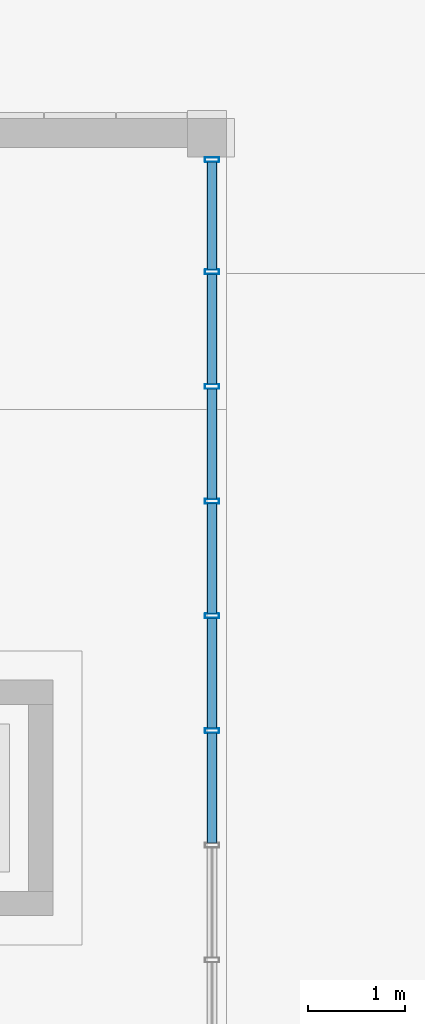
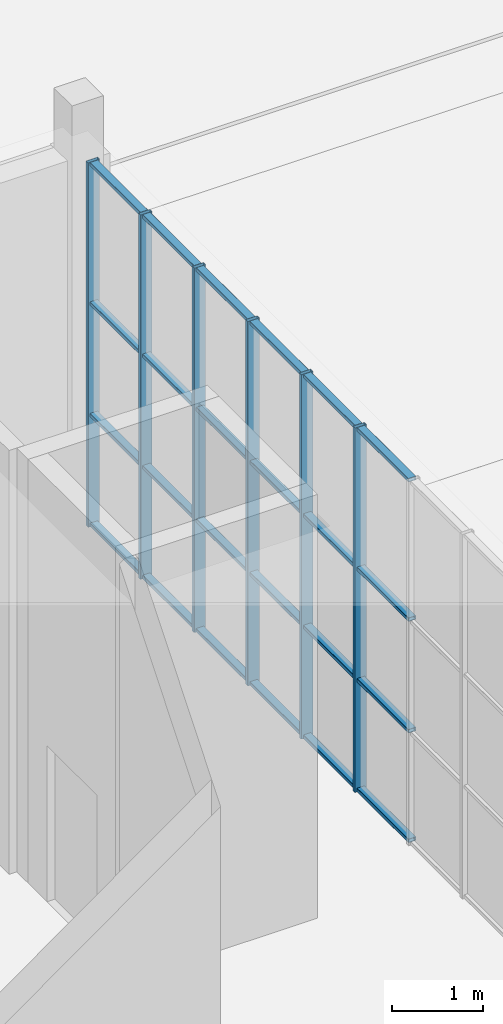
# One storey, part 31 of 125: 30 members, 1 element without a shape of its own.
"""IFC4 building model written with IfcOpenShell, lengths in metres."""

from ifc_helpers import new_model, si_unit, direction, frame, origin, origin_2d, place, context, subcontext, project, spatial, hollow_rectangle, extrude, material, material_profile, profile_set, type_object, element, aggregate, save


model = new_model("IFC4")

# Units and contexts
model_context = context("Model", 3, precision=1e-05, world=origin(), true_north=direction((0.0, 1.0)))
body_context = subcontext(model_context, "Body", "Model", "MODEL_VIEW")
ifc_project = project(units=[si_unit("LENGTHUNIT", "METRE"), si_unit("AREAUNIT", "SQUARE_METRE"), si_unit("VOLUMEUNIT", "CUBIC_METRE"), si_unit("PLANEANGLEUNIT", "RADIAN"), si_unit("MASSUNIT", "GRAM", prefix="KILO")], contexts=[model_context])

# Site, building, storey
site_placement = place(None, origin())
site = spatial("IfcSite", under=ifc_project, at=site_placement, CompositionType="ELEMENT")
building_placement = place(site_placement, origin())
building = spatial("IfcBuilding", under=site, at=building_placement, Name="Sun Court Science Centre", CompositionType="ELEMENT")
storey_placement = place(building_placement, origin())
storey = spatial("IfcBuildingStorey", under=building, at=storey_placement, Name="L00", CompositionType="ELEMENT", Elevation=0.0)

# Curtain wall, members
ifc_material_1 = material(Name="Aluminium EN AW-6063 T6", Category="aluminium")
curtain_wall_type = type_object("IfcCurtainWallType", Name="Pavilion curtain wall 1200", PredefinedType="NOTDEFINED", material=ifc_material_1)
curtain_wall_placement = place(storey_placement, origin())
curtain_wall = element("IfcCurtainWall", 1, at=curtain_wall_placement, inside=storey, type_object=curtain_wall_type, Name="Curtain wall V5 E L00 01", PredefinedType="NOTDEFINED")
ifc_material_2 = material(Name="Aluminium EN AW-6063 T6", Category="aluminium")
ifc_material_profile_1 = material_profile(ifc_material_2, hollow_rectangle(XDim=0.050048828125, YDim=0.14990234375, WallThickness=0.00390625, InnerFilletRadius=0.00390625, OuterFilletRadius=0.006103515625, at=origin_2d()), Name="AL 50x150x4")
ifc_profile_set_1 = profile_set([ifc_material_profile_1], Name="Aluminium EN AW-6063 T6")
member_type_1 = type_object("IfcMemberType", Name="Curtain wall mullion AL 50x150", PredefinedType="MULLION", material=ifc_profile_set_1)
member_1_placement = place(storey_placement, frame((65.85009765625, 43.69384765625, 0.0), z_axis=(0.0, 0.0, 1.0), x_axis=(0.0, -1.0, 0.0)))
member_1 = element("IfcMember", 2, at=member_1_placement, type_object=member_type_1, Name="CW3-20 mullion 6", PredefinedType="MULLION", context=body_context, shape_type="SweptSolid", body=[
    extrude(hollow_rectangle(XDim=0.050048828125, YDim=0.14990234375, WallThickness=0.00390625, InnerFilletRadius=0.00390625, OuterFilletRadius=0.006103515625, at=origin_2d()), origin(), (0.0, 0.0, 1.0), 4.89990234375),
])
member_2_placement = place(storey_placement, frame((65.85009765625, 44.875, 0.0), z_axis=(0.0, 0.0, 1.0), x_axis=(0.0, -1.0, 0.0)))
member_2 = element("IfcMember", 3, at=member_2_placement, type_object=member_type_1, Name="CW3-20 mullion 5", PredefinedType="MULLION", context=body_context, shape_type="SweptSolid", body=[
    extrude(hollow_rectangle(XDim=0.050048828125, YDim=0.14990234375, WallThickness=0.00390625, InnerFilletRadius=0.00390625, OuterFilletRadius=0.006103515625, at=origin_2d()), origin(), (0.0, 0.0, 1.0), 4.89990234375),
])
member_3_placement = place(storey_placement, frame((65.85009765625, 46.05615234375, 0.0), z_axis=(0.0, 0.0, 1.0), x_axis=(0.0, -1.0, 0.0)))
member_3 = element("IfcMember", 4, at=member_3_placement, type_object=member_type_1, Name="CW3-20 mullion 4", PredefinedType="MULLION", context=body_context, shape_type="SweptSolid", body=[
    extrude(hollow_rectangle(XDim=0.050048828125, YDim=0.14990234375, WallThickness=0.00390625, InnerFilletRadius=0.00390625, OuterFilletRadius=0.006103515625, at=origin_2d()), origin(), (0.0, 0.0, 1.0), 4.89990234375),
])
member_4_placement = place(storey_placement, frame((65.85009765625, 47.237548828125, 0.0), z_axis=(0.0, 0.0, 1.0), x_axis=(0.0, -1.0, 0.0)))
member_4 = element("IfcMember", 5, at=member_4_placement, type_object=member_type_1, Name="CW3-20 mullion 3", PredefinedType="MULLION", context=body_context, shape_type="SweptSolid", body=[
    extrude(hollow_rectangle(XDim=0.050048828125, YDim=0.14990234375, WallThickness=0.00390625, InnerFilletRadius=0.00390625, OuterFilletRadius=0.006103515625, at=origin_2d()), origin(), (0.0, 0.0, 1.0), 4.89990234375),
])
member_5_placement = place(storey_placement, frame((65.85009765625, 48.418701171875, 0.0), z_axis=(0.0, 0.0, 1.0), x_axis=(0.0, -1.0, 0.0)))
member_5 = element("IfcMember", 6, at=member_5_placement, type_object=member_type_1, Name="CW3-20 mullion 2", PredefinedType="MULLION", context=body_context, shape_type="SweptSolid", body=[
    extrude(hollow_rectangle(XDim=0.050048828125, YDim=0.14990234375, WallThickness=0.00390625, InnerFilletRadius=0.00390625, OuterFilletRadius=0.006103515625, at=origin_2d()), origin(), (0.0, 0.0, 1.0), 4.89990234375),
])
member_6_placement = place(storey_placement, frame((65.85009765625, 49.574951171875, 0.0), z_axis=(0.0, 0.0, 1.0), x_axis=(0.0, -1.0, 0.0)))
member_6 = element("IfcMember", 7, at=member_6_placement, type_object=member_type_1, Name="CW3-20 mullion 1", PredefinedType="MULLION", context=body_context, shape_type="SweptSolid", body=[
    extrude(hollow_rectangle(XDim=0.050048828125, YDim=0.14990234375, WallThickness=0.00390625, InnerFilletRadius=0.00390625, OuterFilletRadius=0.006103515625, at=origin_2d()), origin(), (0.0, 0.0, 1.0), 4.89990234375),
])
ifc_material_3 = material(Name="Aluminium EN AW-6063 T6", Category="aluminium")
ifc_material_profile_2 = material_profile(ifc_material_3, hollow_rectangle(XDim=0.050048828125, YDim=0.10009765625, WallThickness=0.00390625, InnerFilletRadius=0.00390625, OuterFilletRadius=0.006103515625, at=origin_2d()), Name="AL 50x100x4")
ifc_profile_set_2 = profile_set([ifc_material_profile_2], Name="Aluminium EN AW-6063 T6")
member_type_2 = type_object("IfcMemberType", Name="Curtain wall transom AL 50x100", PredefinedType="USERDEFINED", material=ifc_profile_set_2)
member_7_placement = place(storey_placement, frame((65.85009765625, 43.668701171875, 0.02490234375), z_axis=(0.0, -1.0, 0.0), x_axis=(0.0, 0.0, 1.0)))
member_7 = element("IfcMember", 8, at=member_7_placement, type_object=member_type_2, Name="CW3-20 transom 6.1", ObjectType="TRANSOM", PredefinedType="USERDEFINED", context=body_context, shape_type="SweptSolid", body=[
    extrude(hollow_rectangle(XDim=0.050048828125, YDim=0.10009765625, WallThickness=0.00390625, InnerFilletRadius=0.00390625, OuterFilletRadius=0.006103515625, at=origin_2d()), origin(), (0.0, 0.0, 1.0), 1.131103515625),
])
member_8_placement = place(storey_placement, frame((65.85009765625, 44.85009765625, 0.02490234375), z_axis=(0.0, -1.0, 0.0), x_axis=(0.0, 0.0, 1.0)))
member_8 = element("IfcMember", 9, at=member_8_placement, type_object=member_type_2, Name="CW3-20 transom 5.1", ObjectType="TRANSOM", PredefinedType="USERDEFINED", context=body_context, shape_type="SweptSolid", body=[
    extrude(hollow_rectangle(XDim=0.050048828125, YDim=0.10009765625, WallThickness=0.00390625, InnerFilletRadius=0.00390625, OuterFilletRadius=0.006103515625, at=origin_2d()), origin(), (0.0, 0.0, 1.0), 1.13134765625),
])
member_9_placement = place(storey_placement, frame((65.85009765625, 46.03125, 0.02490234375), z_axis=(0.0, -1.0, 0.0), x_axis=(0.0, 0.0, 1.0)))
member_9 = element("IfcMember", 10, at=member_9_placement, type_object=member_type_2, Name="CW3-20 transom 4.1", ObjectType="TRANSOM", PredefinedType="USERDEFINED", context=body_context, shape_type="SweptSolid", body=[
    extrude(hollow_rectangle(XDim=0.050048828125, YDim=0.10009765625, WallThickness=0.00390625, InnerFilletRadius=0.00390625, OuterFilletRadius=0.006103515625, at=origin_2d()), origin(), (0.0, 0.0, 1.0), 1.13134765625),
])
member_10_placement = place(storey_placement, frame((65.85009765625, 47.21240234375, 0.02490234375), z_axis=(0.0, -1.0, 0.0), x_axis=(0.0, 0.0, 1.0)))
member_10 = element("IfcMember", 11, at=member_10_placement, type_object=member_type_2, Name="CW3-20 transom 3.1", ObjectType="TRANSOM", PredefinedType="USERDEFINED", context=body_context, shape_type="SweptSolid", body=[
    extrude(hollow_rectangle(XDim=0.050048828125, YDim=0.10009765625, WallThickness=0.00390625, InnerFilletRadius=0.00390625, OuterFilletRadius=0.006103515625, at=origin_2d()), origin(), (0.0, 0.0, 1.0), 1.131103515625),
])
member_11_placement = place(storey_placement, frame((65.85009765625, 48.393798828125, 0.02490234375), z_axis=(0.0, -1.0, 0.0), x_axis=(0.0, 0.0, 1.0)))
member_11 = element("IfcMember", 12, at=member_11_placement, type_object=member_type_2, Name="CW3-20 transom 2.1", ObjectType="TRANSOM", PredefinedType="USERDEFINED", context=body_context, shape_type="SweptSolid", body=[
    extrude(hollow_rectangle(XDim=0.050048828125, YDim=0.10009765625, WallThickness=0.00390625, InnerFilletRadius=0.00390625, OuterFilletRadius=0.006103515625, at=origin_2d()), origin(), (0.0, 0.0, 1.0), 1.13134765625),
])
member_12_placement = place(storey_placement, frame((65.85009765625, 49.550048828125, 0.02490234375), z_axis=(0.0, -1.0, 0.0), x_axis=(0.0, 0.0, 1.0)))
member_12 = element("IfcMember", 13, at=member_12_placement, type_object=member_type_2, Name="CW3-20 transom 1.1", ObjectType="TRANSOM", PredefinedType="USERDEFINED", context=body_context, shape_type="SweptSolid", body=[
    extrude(hollow_rectangle(XDim=0.050048828125, YDim=0.10009765625, WallThickness=0.00390625, InnerFilletRadius=0.00390625, OuterFilletRadius=0.006103515625, at=origin_2d()), origin(), (0.0, 0.0, 1.0), 1.106201171875),
])
member_13_placement = place(storey_placement, frame((65.85009765625, 43.668701171875, 1.5), z_axis=(0.0, -1.0, 0.0), x_axis=(0.0, 0.0, 1.0)))
member_13 = element("IfcMember", 14, at=member_13_placement, type_object=member_type_2, Name="CW3-20 transom 6.2", ObjectType="TRANSOM", PredefinedType="USERDEFINED", context=body_context, shape_type="SweptSolid", body=[
    extrude(hollow_rectangle(XDim=0.050048828125, YDim=0.10009765625, WallThickness=0.00390625, InnerFilletRadius=0.00390625, OuterFilletRadius=0.006103515625, at=origin_2d()), origin(), (0.0, 0.0, 1.0), 1.131103515625),
])
member_14_placement = place(storey_placement, frame((65.85009765625, 44.85009765625, 1.5), z_axis=(0.0, -1.0, 0.0), x_axis=(0.0, 0.0, 1.0)))
member_14 = element("IfcMember", 15, at=member_14_placement, type_object=member_type_2, Name="CW3-20 transom 5.2", ObjectType="TRANSOM", PredefinedType="USERDEFINED", context=body_context, shape_type="SweptSolid", body=[
    extrude(hollow_rectangle(XDim=0.050048828125, YDim=0.10009765625, WallThickness=0.00390625, InnerFilletRadius=0.00390625, OuterFilletRadius=0.006103515625, at=origin_2d()), origin(), (0.0, 0.0, 1.0), 1.13134765625),
])
member_15_placement = place(storey_placement, frame((65.85009765625, 46.03125, 1.5), z_axis=(0.0, -1.0, 0.0), x_axis=(0.0, 0.0, 1.0)))
member_15 = element("IfcMember", 16, at=member_15_placement, type_object=member_type_2, Name="CW3-20 transom 4.2", ObjectType="TRANSOM", PredefinedType="USERDEFINED", context=body_context, shape_type="SweptSolid", body=[
    extrude(hollow_rectangle(XDim=0.050048828125, YDim=0.10009765625, WallThickness=0.00390625, InnerFilletRadius=0.00390625, OuterFilletRadius=0.006103515625, at=origin_2d()), origin(), (0.0, 0.0, 1.0), 1.13134765625),
])
member_16_placement = place(storey_placement, frame((65.85009765625, 47.21240234375, 1.5), z_axis=(0.0, -1.0, 0.0), x_axis=(0.0, 0.0, 1.0)))
member_16 = element("IfcMember", 17, at=member_16_placement, type_object=member_type_2, Name="CW3-20 transom 3.2", ObjectType="TRANSOM", PredefinedType="USERDEFINED", context=body_context, shape_type="SweptSolid", body=[
    extrude(hollow_rectangle(XDim=0.050048828125, YDim=0.10009765625, WallThickness=0.00390625, InnerFilletRadius=0.00390625, OuterFilletRadius=0.006103515625, at=origin_2d()), origin(), (0.0, 0.0, 1.0), 1.131103515625),
])
member_17_placement = place(storey_placement, frame((65.85009765625, 48.393798828125, 1.5), z_axis=(0.0, -1.0, 0.0), x_axis=(0.0, 0.0, 1.0)))
member_17 = element("IfcMember", 18, at=member_17_placement, type_object=member_type_2, Name="CW3-20 transom 2.2", ObjectType="TRANSOM", PredefinedType="USERDEFINED", context=body_context, shape_type="SweptSolid", body=[
    extrude(hollow_rectangle(XDim=0.050048828125, YDim=0.10009765625, WallThickness=0.00390625, InnerFilletRadius=0.00390625, OuterFilletRadius=0.006103515625, at=origin_2d()), origin(), (0.0, 0.0, 1.0), 1.13134765625),
])
member_18_placement = place(storey_placement, frame((65.85009765625, 49.550048828125, 1.5), z_axis=(0.0, -1.0, 0.0), x_axis=(0.0, 0.0, 1.0)))
member_18 = element("IfcMember", 19, at=member_18_placement, type_object=member_type_2, Name="CW3-20 transom 1.2", ObjectType="TRANSOM", PredefinedType="USERDEFINED", context=body_context, shape_type="SweptSolid", body=[
    extrude(hollow_rectangle(XDim=0.050048828125, YDim=0.10009765625, WallThickness=0.00390625, InnerFilletRadius=0.00390625, OuterFilletRadius=0.006103515625, at=origin_2d()), origin(), (0.0, 0.0, 1.0), 1.106201171875),
])
member_19_placement = place(storey_placement, frame((65.85009765625, 43.668701171875, 3.0), z_axis=(0.0, -1.0, 0.0), x_axis=(0.0, 0.0, 1.0)))
member_19 = element("IfcMember", 20, at=member_19_placement, type_object=member_type_2, Name="CW3-20 transom 6.3", ObjectType="TRANSOM", PredefinedType="USERDEFINED", context=body_context, shape_type="SweptSolid", body=[
    extrude(hollow_rectangle(XDim=0.050048828125, YDim=0.10009765625, WallThickness=0.00390625, InnerFilletRadius=0.00390625, OuterFilletRadius=0.006103515625, at=origin_2d()), origin(), (0.0, 0.0, 1.0), 1.131103515625),
])
member_20_placement = place(storey_placement, frame((65.85009765625, 44.85009765625, 3.0), z_axis=(0.0, -1.0, 0.0), x_axis=(0.0, 0.0, 1.0)))
member_20 = element("IfcMember", 21, at=member_20_placement, type_object=member_type_2, Name="CW3-20 transom 5.3", ObjectType="TRANSOM", PredefinedType="USERDEFINED", context=body_context, shape_type="SweptSolid", body=[
    extrude(hollow_rectangle(XDim=0.050048828125, YDim=0.10009765625, WallThickness=0.00390625, InnerFilletRadius=0.00390625, OuterFilletRadius=0.006103515625, at=origin_2d()), origin(), (0.0, 0.0, 1.0), 1.13134765625),
])
member_21_placement = place(storey_placement, frame((65.85009765625, 46.03125, 3.0), z_axis=(0.0, -1.0, 0.0), x_axis=(0.0, 0.0, 1.0)))
member_21 = element("IfcMember", 22, at=member_21_placement, type_object=member_type_2, Name="CW3-20 transom 4.3", ObjectType="TRANSOM", PredefinedType="USERDEFINED", context=body_context, shape_type="SweptSolid", body=[
    extrude(hollow_rectangle(XDim=0.050048828125, YDim=0.10009765625, WallThickness=0.00390625, InnerFilletRadius=0.00390625, OuterFilletRadius=0.006103515625, at=origin_2d()), origin(), (0.0, 0.0, 1.0), 1.13134765625),
])
member_22_placement = place(storey_placement, frame((65.85009765625, 47.21240234375, 3.0), z_axis=(0.0, -1.0, 0.0), x_axis=(0.0, 0.0, 1.0)))
member_22 = element("IfcMember", 23, at=member_22_placement, type_object=member_type_2, Name="CW3-20 transom 3.3", ObjectType="TRANSOM", PredefinedType="USERDEFINED", context=body_context, shape_type="SweptSolid", body=[
    extrude(hollow_rectangle(XDim=0.050048828125, YDim=0.10009765625, WallThickness=0.00390625, InnerFilletRadius=0.00390625, OuterFilletRadius=0.006103515625, at=origin_2d()), origin(), (0.0, 0.0, 1.0), 1.131103515625),
])
member_23_placement = place(storey_placement, frame((65.85009765625, 48.393798828125, 3.0), z_axis=(0.0, -1.0, 0.0), x_axis=(0.0, 0.0, 1.0)))
member_23 = element("IfcMember", 24, at=member_23_placement, type_object=member_type_2, Name="CW3-20 transom 2.3", ObjectType="TRANSOM", PredefinedType="USERDEFINED", context=body_context, shape_type="SweptSolid", body=[
    extrude(hollow_rectangle(XDim=0.050048828125, YDim=0.10009765625, WallThickness=0.00390625, InnerFilletRadius=0.00390625, OuterFilletRadius=0.006103515625, at=origin_2d()), origin(), (0.0, 0.0, 1.0), 1.13134765625),
])
member_24_placement = place(storey_placement, frame((65.85009765625, 49.550048828125, 3.0), z_axis=(0.0, -1.0, 0.0), x_axis=(0.0, 0.0, 1.0)))
member_24 = element("IfcMember", 25, at=member_24_placement, type_object=member_type_2, Name="CW3-20 transom 1.3", ObjectType="TRANSOM", PredefinedType="USERDEFINED", context=body_context, shape_type="SweptSolid", body=[
    extrude(hollow_rectangle(XDim=0.050048828125, YDim=0.10009765625, WallThickness=0.00390625, InnerFilletRadius=0.00390625, OuterFilletRadius=0.006103515625, at=origin_2d()), origin(), (0.0, 0.0, 1.0), 1.106201171875),
])
member_25_placement = place(storey_placement, frame((65.85009765625, 43.668701171875, 4.875), z_axis=(0.0, -1.0, 0.0), x_axis=(0.0, 0.0, 1.0)))
member_25 = element("IfcMember", 26, at=member_25_placement, type_object=member_type_2, Name="CW3-20 transom 6.4", ObjectType="TRANSOM", PredefinedType="USERDEFINED", context=body_context, shape_type="SweptSolid", body=[
    extrude(hollow_rectangle(XDim=0.050048828125, YDim=0.10009765625, WallThickness=0.00390625, InnerFilletRadius=0.00390625, OuterFilletRadius=0.006103515625, at=origin_2d()), origin(), (0.0, 0.0, 1.0), 1.131103515625),
])
member_26_placement = place(storey_placement, frame((65.85009765625, 44.85009765625, 4.875), z_axis=(0.0, -1.0, 0.0), x_axis=(0.0, 0.0, 1.0)))
member_26 = element("IfcMember", 27, at=member_26_placement, type_object=member_type_2, Name="CW3-20 transom 5.4", ObjectType="TRANSOM", PredefinedType="USERDEFINED", context=body_context, shape_type="SweptSolid", body=[
    extrude(hollow_rectangle(XDim=0.050048828125, YDim=0.10009765625, WallThickness=0.00390625, InnerFilletRadius=0.00390625, OuterFilletRadius=0.006103515625, at=origin_2d()), origin(), (0.0, 0.0, 1.0), 1.13134765625),
])
member_27_placement = place(storey_placement, frame((65.85009765625, 46.03125, 4.875), z_axis=(0.0, -1.0, 0.0), x_axis=(0.0, 0.0, 1.0)))
member_27 = element("IfcMember", 28, at=member_27_placement, type_object=member_type_2, Name="CW3-20 transom 4.4", ObjectType="TRANSOM", PredefinedType="USERDEFINED", context=body_context, shape_type="SweptSolid", body=[
    extrude(hollow_rectangle(XDim=0.050048828125, YDim=0.10009765625, WallThickness=0.00390625, InnerFilletRadius=0.00390625, OuterFilletRadius=0.006103515625, at=origin_2d()), origin(), (0.0, 0.0, 1.0), 1.13134765625),
])
member_28_placement = place(storey_placement, frame((65.85009765625, 47.21240234375, 4.875), z_axis=(0.0, -1.0, 0.0), x_axis=(0.0, 0.0, 1.0)))
member_28 = element("IfcMember", 29, at=member_28_placement, type_object=member_type_2, Name="CW3-20 transom 3.4", ObjectType="TRANSOM", PredefinedType="USERDEFINED", context=body_context, shape_type="SweptSolid", body=[
    extrude(hollow_rectangle(XDim=0.050048828125, YDim=0.10009765625, WallThickness=0.00390625, InnerFilletRadius=0.00390625, OuterFilletRadius=0.006103515625, at=origin_2d()), origin(), (0.0, 0.0, 1.0), 1.131103515625),
])
member_29_placement = place(storey_placement, frame((65.85009765625, 48.393798828125, 4.875), z_axis=(0.0, -1.0, 0.0), x_axis=(0.0, 0.0, 1.0)))
member_29 = element("IfcMember", 30, at=member_29_placement, type_object=member_type_2, Name="CW3-20 transom 2.4", ObjectType="TRANSOM", PredefinedType="USERDEFINED", context=body_context, shape_type="SweptSolid", body=[
    extrude(hollow_rectangle(XDim=0.050048828125, YDim=0.10009765625, WallThickness=0.00390625, InnerFilletRadius=0.00390625, OuterFilletRadius=0.006103515625, at=origin_2d()), origin(), (0.0, 0.0, 1.0), 1.13134765625),
])
member_30_placement = place(storey_placement, frame((65.85009765625, 49.550048828125, 4.875), z_axis=(0.0, -1.0, 0.0), x_axis=(0.0, 0.0, 1.0)))
member_30 = element("IfcMember", 31, at=member_30_placement, type_object=member_type_2, Name="CW3-20 transom 1.4", ObjectType="TRANSOM", PredefinedType="USERDEFINED", context=body_context, shape_type="SweptSolid", body=[
    extrude(hollow_rectangle(XDim=0.050048828125, YDim=0.10009765625, WallThickness=0.00390625, InnerFilletRadius=0.00390625, OuterFilletRadius=0.006103515625, at=origin_2d()), origin(), (0.0, 0.0, 1.0), 1.106201171875),
])
aggregate(curtain_wall, [member_1, member_2, member_3, member_4, member_5, member_6, member_7, member_8, member_9, member_10, member_11, member_12, member_13, member_14, member_15, member_16, member_17, member_18, member_19, member_20, member_21, member_22, member_23, member_24, member_25, member_26, member_27, member_28, member_29, member_30])

save(model, "model.ifc")
